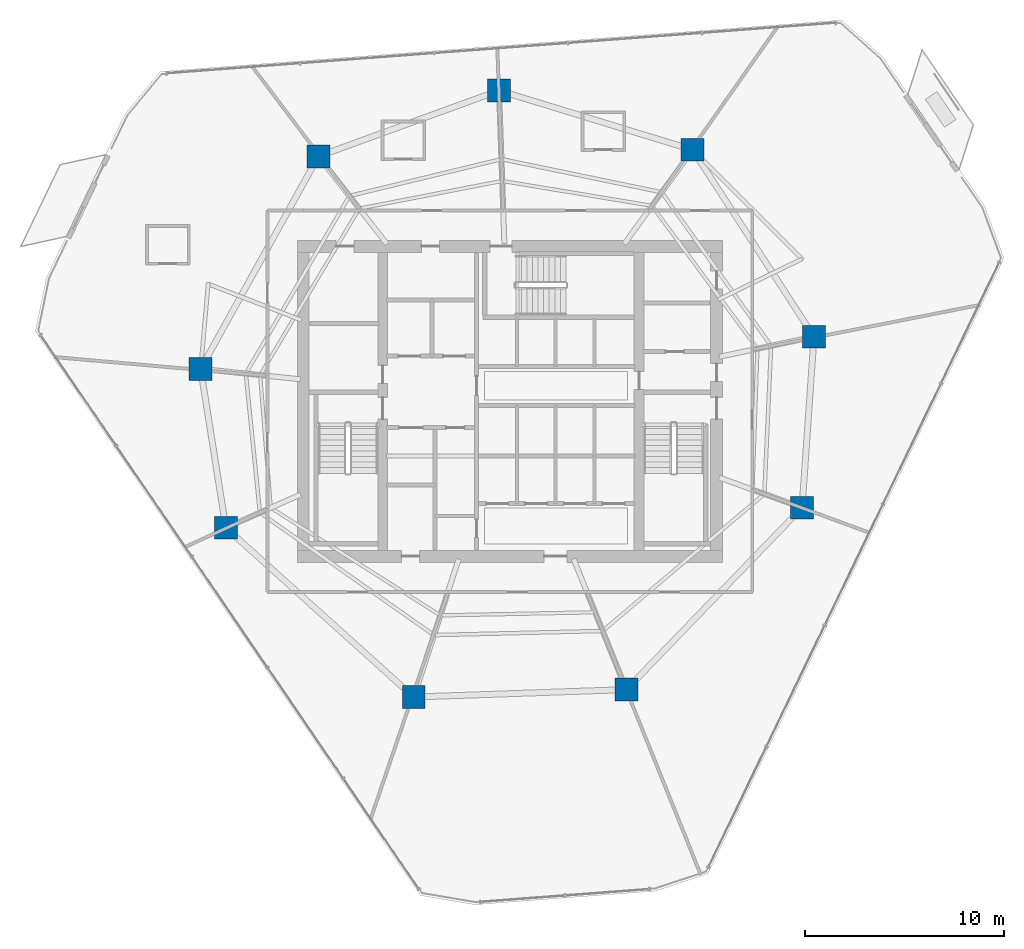
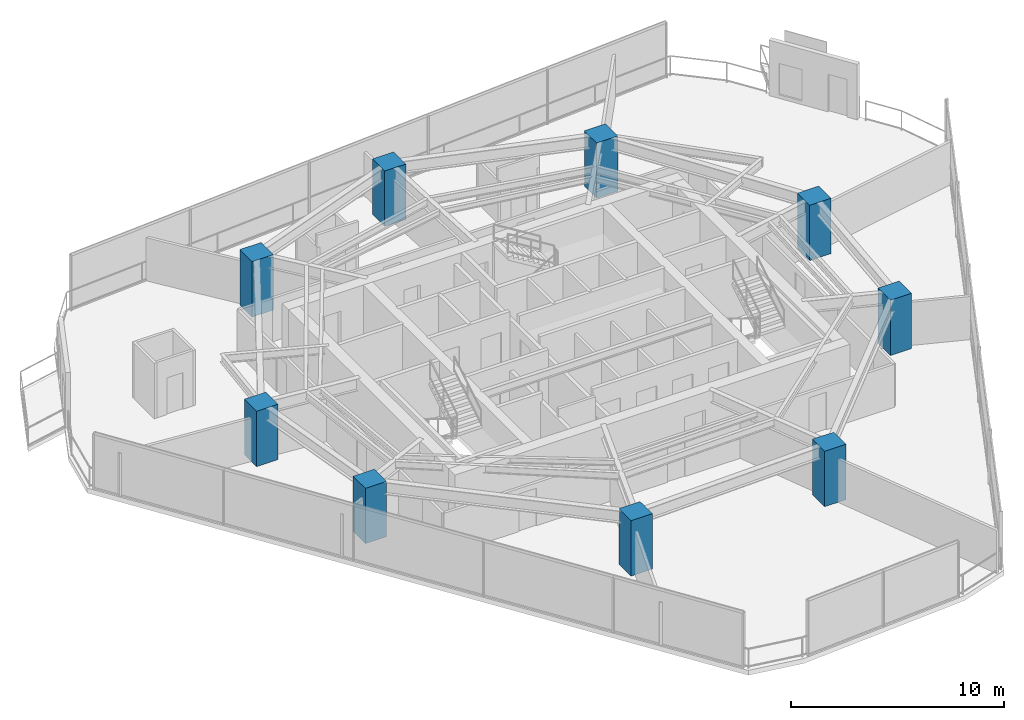
# One storey, part 1 of 30: 9 columns.
"""IFC4 building model written with IfcOpenShell, lengths in metres."""

from ifc_helpers import new_model, si_unit, direction, frame, origin, origin_2d, place, context, subcontext, project, spatial, rectangle, extrude, material, material_profile, profile_set, type_object, element, save


model = new_model("IFC4")

# Units and contexts
model_context = context("Model", 3, precision=1e-05, world=origin(), true_north=direction((0.0, 1.0)))
body_context = subcontext(model_context, "Body", "Model", "MODEL_VIEW")
ifc_project = project(units=[si_unit("LENGTHUNIT", "METRE"), si_unit("AREAUNIT", "SQUARE_METRE"), si_unit("VOLUMEUNIT", "CUBIC_METRE"), si_unit("PLANEANGLEUNIT", "RADIAN"), si_unit("MASSUNIT", "GRAM", prefix="KILO")], contexts=[model_context])

# Site, building, storey
site_placement = place(None, origin())
site = spatial("IfcSite", under=ifc_project, at=site_placement, CompositionType="ELEMENT")
building_placement = place(site_placement, origin())
building = spatial("IfcBuilding", under=site, at=building_placement, Name="Qarnah Convention Tower", CompositionType="ELEMENT")
storey_placement = place(building_placement, frame((0.0, 0.0, 83.25)))
storey = spatial("IfcBuildingStorey", under=building, at=storey_placement, Name="L21", CompositionType="ELEMENT", Elevation=83.25)

# Columns
ifc_material = material(Name="Concrete C60/75", Category="concrete")
ifc_material_profile = material_profile(ifc_material, rectangle(XDim=1.14990234375, YDim=1.14990234375, at=origin_2d()), Name="RC-COL-1150X1150")
ifc_profile_set = profile_set([ifc_material_profile], Name="Concrete C60/75")
column_type = type_object("IfcColumnType", Name="COL-Z2-1150", PredefinedType="COLUMN", material=ifc_profile_set)
for number, where, z_axis, x_axis, name in (
    (1, (52.508056640625, 29.654052734375, 0.0), (0.0, 0.0, 1.0), (1.0, 0.0, 0.0), "L21 plumb column PC-Z2-01"),
    (2, (46.39892578125, 39.06103515625, 0.0), (0.0, 0.0, 1.0), (1.0, 0.0, 0.0), "L21 plumb column PC-Z2-02"),
    (3, (36.654052734375, 42.0400390625, 0.0), (0.0, 0.0, 1.0), (1.0, 0.0, 0.0), "L21 plumb column PC-Z2-03"),
    (4, (27.56494140625, 38.73193359375, 0.0), (0.0, 0.0, 1.0), (1.0, 0.0, 0.0), "L21 plumb column PC-Z2-04"),
    (5, (21.635986328125, 28.035888671875, 0.0), (0.0, 0.0, 1.0), (1.0, 0.0, 0.0), "L21 plumb column PC-Z2-05"),
    (6, (22.903076171875, 20.034912109375, 0.0), (0.0, 0.0, 1.0), (1.0, 0.0, 0.0), "L21 plumb column PC-Z2-06"),
    (7, (32.364013671875, 11.51611328125, 0.0), (0.0, 0.0, 1.0), (1.0, 0.0, 0.0), "L21 plumb column PC-Z2-07"),
    (8, (43.06298828125, 11.889892578125, 0.0), (0.0, 0.0, 1.0), (1.0, 0.0, 0.0), "L21 plumb column PC-Z2-08"),
    (9, (51.906005859375, 21.047119140625, 0.0), (0.0, 0.0, 1.0), (1.0, 0.0, 0.0), "L21 plumb column PC-Z2-09"),
):
    element("IfcColumn", number, at=place(storey_placement, frame(where, z_axis=z_axis, x_axis=x_axis)), inside=storey, type_object=column_type, Name=name, PredefinedType="COLUMN", context=body_context, shape_type="SweptSolid", body=[
        extrude(rectangle(XDim=1.14990234375, YDim=1.14990234375, at=origin_2d()), origin(), (0.0, 0.0, 1.0), 3.169921875),
    ])

save(model, "model.ifc")
